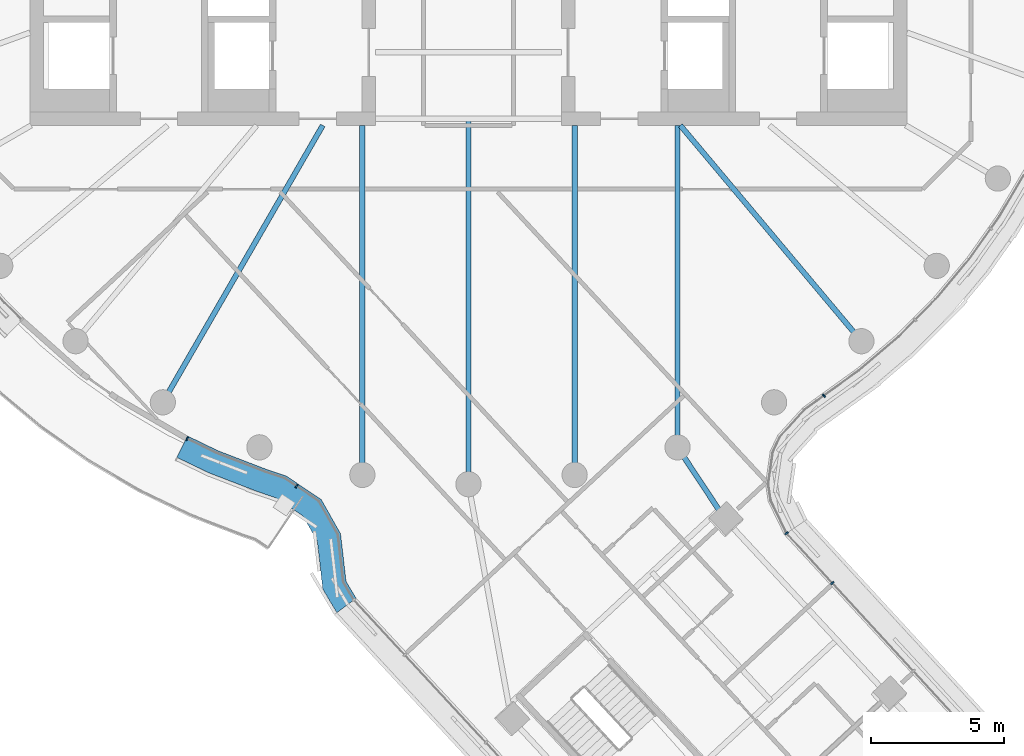
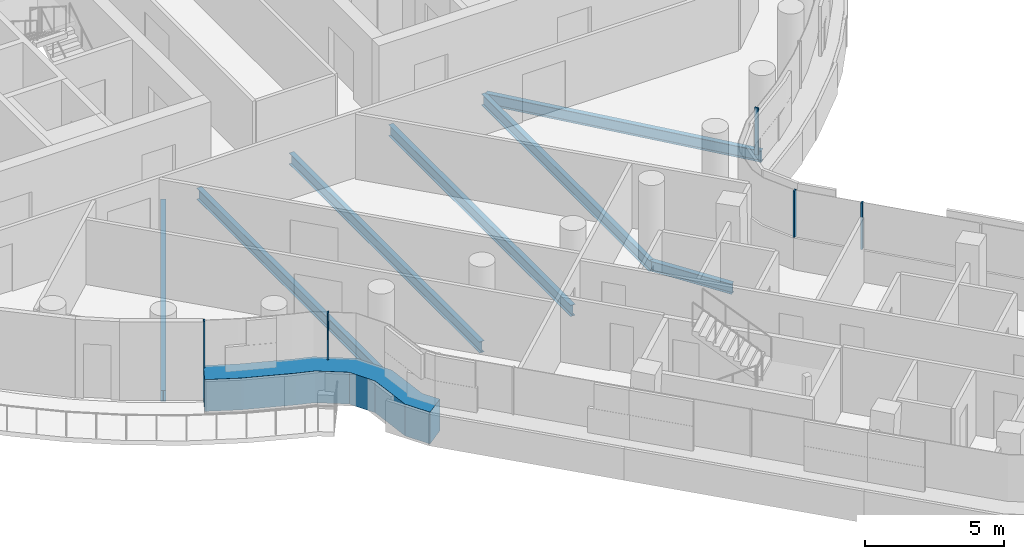
# One storey, part 7 of 34: 7 beams, 6 members, 3 elements without a shape of their own.
"""IFC4 building model written with IfcOpenShell, lengths in metres."""

from ifc_helpers import new_model, si_unit, direction, frame, origin, origin_2d, place, context, subcontext, project, spatial, polyline, rectangle, i_section, outline, extrude, material, layer, layer_set, material_profile, profile_set, type_object, element, aggregate, save


model = new_model("IFC4")

# Units and contexts
model_context = context("Model", 3, precision=1e-05, world=origin(), true_north=direction((0.0, 1.0)))
body_context = subcontext(model_context, "Body", "Model", "MODEL_VIEW")
ifc_project = project(units=[si_unit("LENGTHUNIT", "METRE"), si_unit("AREAUNIT", "SQUARE_METRE"), si_unit("VOLUMEUNIT", "CUBIC_METRE"), si_unit("PLANEANGLEUNIT", "RADIAN"), si_unit("MASSUNIT", "GRAM", prefix="KILO")], contexts=[model_context])

# Site, building, storey
site_placement = place(None, origin())
site = spatial("IfcSite", under=ifc_project, at=site_placement, CompositionType="ELEMENT")
building_placement = place(site_placement, origin())
building = spatial("IfcBuilding", under=site, at=building_placement, Name="Tamarind Cross Interchange Tower", CompositionType="ELEMENT")
storey_placement = place(building_placement, frame((0.0, 0.0, 189.699951171875)))
storey = spatial("IfcBuildingStorey", under=building, at=storey_placement, Name="L47", CompositionType="ELEMENT", Elevation=189.699951171875)

# Beams
ifc_material_1 = material(Name="Steel Q355B", Category="steel")
ifc_material_profile_1 = material_profile(ifc_material_1, i_section(OverallWidth=0.198974609375, OverallDepth=0.446044921875, WebThickness=0.008056640625, FlangeThickness=0.011962890625, FilletRadius=0.012939453125, at=origin_2d()), Name="HN 446x199x8x12")
ifc_profile_set_1 = profile_set([ifc_material_profile_1], Name="Steel Q355B")
beam_type_1 = type_object("IfcBeamType", Name="Composite beam HN 446x199x8x12 Q355B", PredefinedType="BEAM", material=ifc_profile_set_1)
beam_1_placement = place(storey_placement, frame((9.67626953125, -24.346923828125, -0.363037109375), z_axis=(-0.551999403205, 0.833844505206, 0.0), x_axis=(-0.833844505206, -0.551999403205, 0.0)))
element("IfcBeam", 1, at=beam_1_placement, inside=storey, type_object=beam_type_1, Name="Beam S-linkep", PredefinedType="BEAM", context=body_context, shape_type="SweptSolid", body=[
    extrude(i_section(OverallWidth=0.198974609375, OverallDepth=0.446044921875, WebThickness=0.008056640625, FlangeThickness=0.011962890625, FilletRadius=0.012939453125, at=origin_2d()), origin(), (0.0, 0.0, 1.0), 3.278564453125),
])
ifc_material_profile_2 = material_profile(ifc_material_1, i_section(OverallWidth=0.198974609375, OverallDepth=0.49609375, WebThickness=0.009033203125, FlangeThickness=0.013916015625, FilletRadius=0.012939453125, at=origin_2d()), Name="HN 496x199x9x14")
ifc_profile_set_2 = profile_set([ifc_material_profile_2], Name="Steel Q355B")
beam_type_2 = type_object("IfcBeamType", Name="Composite beam HN 496x199x9x14 Q355B", PredefinedType="BEAM", material=ifc_profile_set_2)
beam_2_placement = place(storey_placement, frame((-11.5, -19.918701171875, -0.387939453125), z_axis=(0.499993565836, 0.866029118519, 0.0), x_axis=(-0.866029118519, 0.499993565836, 0.0)))
element("IfcBeam", 2, at=beam_2_placement, inside=storey, type_object=beam_type_2, Name="Beam HH24", PredefinedType="BEAM", context=body_context, shape_type="SweptSolid", body=[
    extrude(i_section(OverallWidth=0.198974609375, OverallDepth=0.49609375, WebThickness=0.009033203125, FlangeThickness=0.013916015625, FilletRadius=0.012939453125, at=origin_2d()), origin(), (0.0, 0.0, 1.0), 12.030517578125),
])
beam_3_placement = place(storey_placement, frame((-3.993896484375, -22.650634765625, -0.387939453125), z_axis=(0.0, 1.0, 0.0), x_axis=(-1.0, 0.0, 0.0)))
element("IfcBeam", 3, at=beam_3_placement, inside=storey, type_object=beam_type_2, Name="Beam HH26", PredefinedType="BEAM", context=body_context, shape_type="SweptSolid", body=[
    extrude(i_section(OverallWidth=0.198974609375, OverallDepth=0.49609375, WebThickness=0.009033203125, FlangeThickness=0.013916015625, FilletRadius=0.012939453125, at=origin_2d()), origin(), (0.0, 0.0, 1.0), 13.150634765625),
])
beam_4_placement = place(storey_placement, frame((0.0, -23.0, -0.387939453125), z_axis=(0.0, 1.0, 0.0), x_axis=(-1.0, 0.0, 0.0)))
element("IfcBeam", 4, at=beam_4_placement, inside=storey, type_object=beam_type_2, Name="Beam HH27", PredefinedType="BEAM", context=body_context, shape_type="SweptSolid", body=[
    extrude(i_section(OverallWidth=0.198974609375, OverallDepth=0.49609375, WebThickness=0.009033203125, FlangeThickness=0.013916015625, FilletRadius=0.012939453125, at=origin_2d()), origin(), (0.0, 0.0, 1.0), 13.75),
])
beam_5_placement = place(storey_placement, frame((3.993896484375, -22.650634765625, -0.387939453125), z_axis=(0.0, 1.0, 0.0), x_axis=(-1.0, 0.0, 0.0)))
element("IfcBeam", 5, at=beam_5_placement, inside=storey, type_object=beam_type_2, Name="Beam HH28", PredefinedType="BEAM", context=body_context, shape_type="SweptSolid", body=[
    extrude(i_section(OverallWidth=0.198974609375, OverallDepth=0.49609375, WebThickness=0.009033203125, FlangeThickness=0.013916015625, FilletRadius=0.012939453125, at=origin_2d()), origin(), (0.0, 0.0, 1.0), 13.150634765625),
])
beam_6_placement = place(storey_placement, frame((7.866455078125, -21.613037109375, -0.387939453125), z_axis=(0.0, 1.0, 0.0), x_axis=(-1.0, 0.0, 0.0)))
element("IfcBeam", 6, at=beam_6_placement, inside=storey, type_object=beam_type_2, Name="Beam HH29", PredefinedType="BEAM", context=body_context, shape_type="SweptSolid", body=[
    extrude(i_section(OverallWidth=0.198974609375, OverallDepth=0.49609375, WebThickness=0.009033203125, FlangeThickness=0.013916015625, FilletRadius=0.012939453125, at=origin_2d()), origin(), (0.0, 0.0, 1.0), 12.113037109375),
])
beam_7_placement = place(storey_placement, frame((14.7841796875, -17.619140625, -0.387939453125), z_axis=(-0.642786293979, 0.766045547127, 0.0), x_axis=(-0.766045547127, -0.642786293979, 0.0)))
element("IfcBeam", 7, at=beam_7_placement, inside=storey, type_object=beam_type_2, Name="Beam HH31", PredefinedType="BEAM", context=body_context, shape_type="SweptSolid", body=[
    extrude(i_section(OverallWidth=0.198974609375, OverallDepth=0.49609375, WebThickness=0.009033203125, FlangeThickness=0.013916015625, FilletRadius=0.012939453125, at=origin_2d()), origin(), (0.0, 0.0, 1.0), 10.598876953125),
])

# Curtain wall, member
ifc_material_2 = material(Name="Aluminium 6063-T6", Category="aluminium")
ifc_layer = layer(ifc_material_2, 0.139892578125)
ifc_layer_set = layer_set([ifc_layer], Name="Aluminium 6063-T6")
curtain_wall_type = type_object("IfcCurtainWallType", Name="Hotel curtain wall, 4.5 m bays", PredefinedType="NOTDEFINED", material=ifc_layer_set)
curtain_wall_1_placement = place(storey_placement, origin())
curtain_wall_1 = element("IfcCurtainWall", 8, at=curtain_wall_1_placement, inside=storey, type_object=curtain_wall_type, Name="CWS-L47-10", PredefinedType="NOTDEFINED")
ifc_material_3 = material(Name="Aluminium and insulated spandrel panel", Category="aluminium")
member_type_1 = type_object("IfcMemberType", Name="Floor-edge blade transom", PredefinedType="USERDEFINED", material=ifc_material_3)
member_1_placement = place(storey_placement, origin())
member_1 = element("IfcMember", 9, at=member_1_placement, type_object=member_type_1, Name="CWT-L47-10-1", ObjectType="TRANSOM", PredefinedType="USERDEFINED", context=body_context, shape_type="SweptSolid", body=[
    extrude(outline(polyline([(-10.571044921875, -21.1865234375), (-9.425048828125, -21.74072265625), (-7.591796875, -22.44677734375), (-6.853759765625, -22.6953125), (-5.54345703125, -23.572509765625), (-4.81494140625, -24.862548828125), (-4.696044921875, -25.878662109375), (-4.609619140625, -26.652099609375), (-4.229248046875, -27.29296875), (-4.954345703125, -27.834716796875), (-5.482421875, -26.944580078125), (-5.59033203125, -25.98095703125), (-5.687744140625, -25.147216796875), (-6.221923828125, -24.201416015625), (-7.254638671875, -23.510009765625), (-7.8974609375, -23.293701171875), (-9.783203125, -22.567138671875), (-10.972900390625, -21.991943359375), (-10.571044921875, -21.1865234375)])), origin(), (0.0, 0.0, 1.0), 1.400146484375),
])

curtain_wall_2_placement = place(storey_placement, origin())
curtain_wall_2 = element("IfcCurtainWall", 10, at=curtain_wall_2_placement, inside=storey, type_object=curtain_wall_type, Name="CWS-L47-01", PredefinedType="NOTDEFINED")
ifc_material_profile_3 = material_profile(ifc_material_2, rectangle(XDim=0.06005859375, YDim=0.139892578125, at=origin_2d()), Name="Mullion CW2")
ifc_profile_set_3 = profile_set([ifc_material_profile_3], Name="Aluminium 6063-T6")
member_type_2 = type_object("IfcMemberType", Name="Mullion CW2", PredefinedType="MULLION", material=ifc_profile_set_3)
member_2_placement = place(storey_placement, frame((13.694580078125, -26.7177734375, 1.400146484375), z_axis=(0.0, 0.0, 1.0), x_axis=(-0.677310265309, 0.735697495243, 0.0)))
member_2 = element("IfcMember", 11, at=member_2_placement, type_object=member_type_2, Name="CWM-L47-01-02", PredefinedType="MULLION", context=body_context, shape_type="SweptSolid", body=[
    extrude(rectangle(XDim=0.06005859375, YDim=0.139892578125, at=origin_2d()), origin(), (0.0, 0.0, 1.0), 2.059814453125),
])
aggregate(curtain_wall_2, [member_2])

# Curtain wall, members
curtain_wall_3_placement = place(storey_placement, origin())
curtain_wall_3 = element("IfcCurtainWall", 12, at=curtain_wall_3_placement, inside=storey, type_object=curtain_wall_type, Name="CWS-L47-02", PredefinedType="NOTDEFINED")
member_3_placement = place(storey_placement, frame((11.9697265625, -24.84423828125, 1.400146484375), z_axis=(0.0, 0.0, 1.0), x_axis=(-0.562536026113, 0.826772773696, 0.0)))
member_3 = element("IfcMember", 13, at=member_3_placement, type_object=member_type_2, Name="CWM-L47-02-00", PredefinedType="MULLION", context=body_context, shape_type="SweptSolid", body=[
    extrude(rectangle(XDim=0.06005859375, YDim=0.139892578125, at=origin_2d()), origin(), (0.0, 0.0, 1.0), 2.059814453125),
])
member_4_placement = place(storey_placement, frame((13.372802734375, -19.6689453125, 1.400146484375), z_axis=(0.0, 0.0, 1.0), x_axis=(0.811340475102, 0.584573890505, 0.0)))
member_4 = element("IfcMember", 14, at=member_4_placement, type_object=member_type_2, Name="CWM-L47-02-01", PredefinedType="MULLION", context=body_context, shape_type="SweptSolid", body=[
    extrude(rectangle(XDim=0.06005859375, YDim=0.139892578125, at=origin_2d()), origin(), (0.0, 0.0, 1.0), 2.059814453125),
])
aggregate(curtain_wall_3, [member_3, member_4])

# Member
member_5_placement = place(storey_placement, frame((-10.5888671875, -21.288818359375, 1.400146484375), z_axis=(0.0, 0.0, 1.0), x_axis=(0.900272776334, -0.435326231914, 0.0)))
member_5 = element("IfcMember", 15, at=member_5_placement, type_object=member_type_2, Name="CWM-L47-10-03", PredefinedType="MULLION", context=body_context, shape_type="SweptSolid", body=[
    extrude(rectangle(XDim=0.06005859375, YDim=0.139892578125, at=origin_2d()), origin(), (0.0, 0.0, 1.0), 2.059814453125),
])

member_6_placement = place(storey_placement, frame((-6.46875, -23.0732421875, 1.400146484375), z_axis=(0.0, 0.0, 1.0), x_axis=(0.830965766749, -0.556323551983, 0.0)))
member_6 = element("IfcMember", 16, at=member_6_placement, type_object=member_type_2, Name="CWM-L47-10-04", PredefinedType="MULLION", context=body_context, shape_type="SweptSolid", body=[
    extrude(rectangle(XDim=0.06005859375, YDim=0.139892578125, at=origin_2d()), origin(), (0.0, 0.0, 1.0), 2.059814453125),
])

aggregate(curtain_wall_1, [member_5, member_6, member_1])

save(model, "model.ifc")
